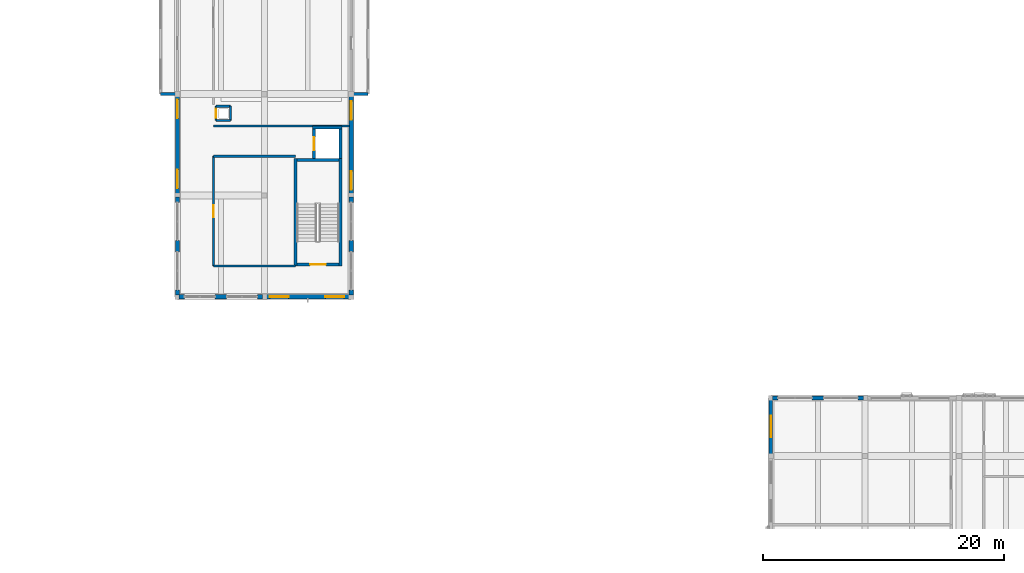
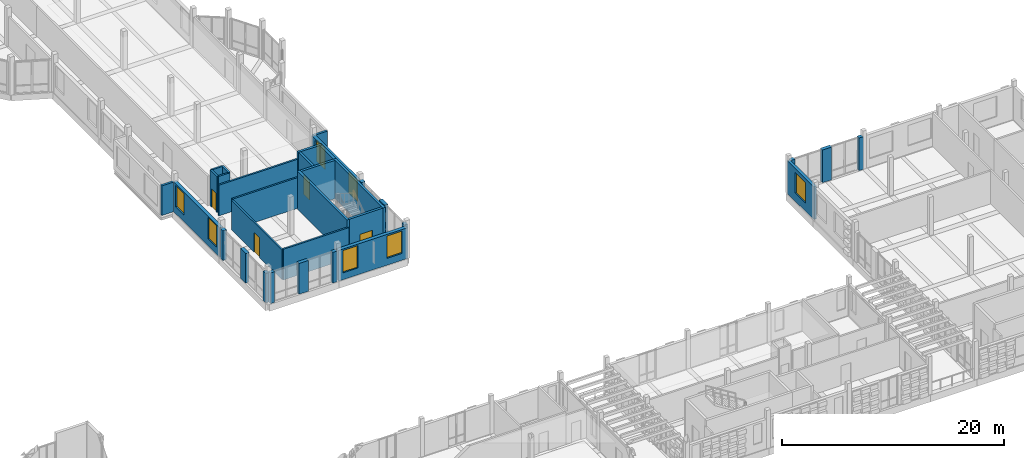
# One storey, part 69 of 99: 33 walls, 7 windows, 4 doors, 11 openings.
"""IFC4 building model written with IfcOpenShell, lengths in metres."""

from ifc_helpers import new_model, si_unit, direction, frame, frame_2d, origin, place, context, subcontext, project, spatial, rectangle, extrude, material, layer, layer_set, type_object, element, fill, save


model = new_model("IFC4")

# Units and contexts
model_context = context("Model", 3, precision=1e-05, world=origin(), true_north=direction((0.0, 1.0)))
body_context = subcontext(model_context, "Body", "Model", "MODEL_VIEW")
ifc_project = project(units=[si_unit("LENGTHUNIT", "METRE"), si_unit("AREAUNIT", "SQUARE_METRE"), si_unit("VOLUMEUNIT", "CUBIC_METRE"), si_unit("PLANEANGLEUNIT", "RADIAN"), si_unit("MASSUNIT", "GRAM", prefix="KILO")], contexts=[model_context])

# Site, building, storey
site_placement = place(None, origin())
site = spatial("IfcSite", under=ifc_project, at=site_placement, CompositionType="ELEMENT")
building_placement = place(site_placement, origin())
building = spatial("IfcBuilding", under=site, at=building_placement, Name="Kahlenmark Community Centre", CompositionType="ELEMENT")
storey_placement = place(building_placement, frame((0.0, 0.0, 5.39990234375)))
storey = spatial("IfcBuildingStorey", under=building, at=storey_placement, Name="L01", CompositionType="ELEMENT", Elevation=5.39990234375)

# Wall, opening, door
ifc_material_1 = material(Name="Concrete C35/45", Category="concrete")
ifc_layer_1 = layer(ifc_material_1, 0.25)
ifc_layer_set_1 = layer_set([ifc_layer_1], Name="Concrete C35/45")
wall_type_1 = type_object("IfcWallType", Name="WT-CORE-250", PredefinedType="SHEAR", material=ifc_layer_set_1)
wall_1_placement = place(storey_placement, frame((82.300048828125, 53.47509765625, 0.0), z_axis=(0.0, 0.0, 1.0), x_axis=(1.0, 0.0, 0.0)))
wall_1 = element("IfcWall", 1, at=wall_1_placement, inside=storey, type_object=wall_type_1, Name="Core K6 shear wall WL-CORE-K6-L01-0211", PredefinedType="SHEAR", context=body_context, shape_type="SweptSolid", body=[
    extrude(rectangle(XDim=3.5, YDim=0.25, at=frame_2d((1.75, 0.0))), origin(), (0.0, 0.0, 1.0), 4.2001953125),
])
opening_1_placement = place(wall_1_placement, frame((1.10009765625, 0.0, -0.010009765625)))
opening_1 = element("IfcOpeningElement", 2, at=opening_1_placement, cuts=wall_1, Name="Opening FD-K6-L01", PredefinedType="OPENING", context=body_context, shape_type="SweptSolid", body=[
    extrude(rectangle(XDim=1.300048828125, YDim=2.159912109375, at=frame_2d((0.64990234375, 1.080078125))), frame((0.0, 0.135009765625, 0.0), z_axis=(0.0, -1.0, 0.0), x_axis=(1.0, 0.0, 0.0)), (0.0, 0.0, 1.0), 0.27001953125),
])
ifc_material_2 = material(Name="Fire-rated steel-framed timber door FD60S", Category="steel")
door_type_1 = type_object("IfcDoorType", Name="DT-FD-K6-L01", OperationType="NOTDEFINED", PredefinedType="DOOR", material=ifc_material_2)
door_1_placement = place(opening_1_placement, frame((1.300048828125, 0.0, 0.010009765625), z_axis=(0.0, 0.0, 1.0), x_axis=(-1.0, 0.0, 0.0)))
door_1 = element("IfcDoor", 3, at=door_1_placement, inside=storey, type_object=door_type_1, Name="Core K6 stair fire door L01", OperationType="SINGLE_SWING_LEFT", OverallHeight=2.14990234375, OverallWidth=1.300048828125, PredefinedType="DOOR", context=body_context, shape_type="SweptSolid", body=[
    extrude(rectangle(XDim=1.300048828125, YDim=2.14990234375, at=frame_2d((0.64990234375, 1.074951171875))), frame((0.0, 0.02490234375, 0.0), z_axis=(0.0, -1.0, 0.0), x_axis=(1.0, 0.0, 0.0)), (0.0, 0.0, 1.0), 0.050048828125),
])
fill(opening_1, door_1)

# Walls
wall_2_placement = place(storey_placement, frame((82.175048828125, 53.35009765625, 0.0), z_axis=(0.0, 0.0, 1.0), x_axis=(0.0, 1.0, 0.0)))
element("IfcWall", 4, at=wall_2_placement, inside=storey, type_object=wall_type_1, Name="Core K6 shear wall WL-CORE-K6-L01-0212", PredefinedType="SHEAR", context=body_context, shape_type="SweptSolid", body=[
    extrude(rectangle(XDim=8.89990234375, YDim=0.25, at=frame_2d((4.449951171875, 0.0))), origin(), (0.0, 0.0, 1.0), 4.2001953125),
])
wall_3_placement = place(storey_placement, frame((85.800048828125, 62.125, 0.0), z_axis=(0.0, 0.0, 1.0), x_axis=(-1.0, 0.0, 0.0)))
element("IfcWall", 5, at=wall_3_placement, inside=storey, type_object=wall_type_1, Name="Core K6 shear wall WL-CORE-K6-L01-0213", PredefinedType="SHEAR", context=body_context, shape_type="SweptSolid", body=[
    extrude(rectangle(XDim=3.5, YDim=0.25, at=frame_2d((1.75, 0.0))), origin(), (0.0, 0.0, 1.0), 4.2001953125),
])
wall_4_placement = place(storey_placement, frame((85.925048828125, 53.35009765625, 0.0), z_axis=(0.0, 0.0, 1.0), x_axis=(0.0, 1.0, 0.0)))
element("IfcWall", 6, at=wall_4_placement, inside=storey, type_object=wall_type_1, Name="Core K6 shear wall WL-CORE-K6-L01-0214", PredefinedType="SHEAR", context=body_context, shape_type="SweptSolid", body=[
    extrude(rectangle(XDim=8.89990234375, YDim=0.25, at=frame_2d((4.449951171875, 0.0))), origin(), (0.0, 0.0, 1.0), 4.2001953125),
])
wall_5_placement = place(storey_placement, frame((83.590087890625, 64.8349609375, 0.0), z_axis=(0.0, 0.0, 1.0), x_axis=(1.0, 0.0, 0.0)))
element("IfcWall", 7, at=wall_5_placement, inside=storey, type_object=wall_type_1, Name="Core K6 shear wall WL-CORE-K6-L01-0215", PredefinedType="SHEAR", context=body_context, shape_type="SweptSolid", body=[
    extrude(rectangle(XDim=2.4599609375, YDim=0.25, at=frame_2d((1.22998046875, 0.0))), origin(), (0.0, 0.0, 1.0), 4.2001953125),
])

# Wall, opening, door
wall_6_placement = place(storey_placement, frame((83.715087890625, 62.25, 0.0), z_axis=(0.0, 0.0, 1.0), x_axis=(0.0, 1.0, 0.0)))
wall_6 = element("IfcWall", 8, at=wall_6_placement, inside=storey, type_object=wall_type_1, Name="Core K6 shear wall WL-CORE-K6-L01-0216", PredefinedType="SHEAR", context=body_context, shape_type="SweptSolid", body=[
    extrude(rectangle(XDim=2.4599609375, YDim=0.25, at=frame_2d((1.22998046875, 0.0))), origin(), (0.0, 0.0, 1.0), 4.2001953125),
])
opening_2_placement = place(wall_6_placement, frame((0.679931640625, 0.0, -0.010009765625)))
opening_2 = element("IfcOpeningElement", 9, at=opening_2_placement, cuts=wall_6, Name="Opening LD-6", PredefinedType="OPENING", context=body_context, shape_type="SweptSolid", body=[
    extrude(rectangle(XDim=1.10009765625, YDim=2.159912109375, at=frame_2d((0.550048828125, 1.080078125))), frame((0.0, 0.135009765625, 0.0), z_axis=(0.0, -1.0, 0.0), x_axis=(1.0, 0.0, 0.0)), (0.0, 0.0, 1.0), 0.27001953125),
])
ifc_material_3 = material(Name="Brushed stainless steel sliding lift landing door", Category="steel")
door_type_2 = type_object("IfcDoorType", Name="DT-LD-K6", OperationType="SLIDING_TO_LEFT", PredefinedType="DOOR", material=ifc_material_3)
door_2_placement = place(opening_2_placement, frame((0.0, 0.0, 0.010009765625)))
door_2 = element("IfcDoor", 10, at=door_2_placement, inside=storey, type_object=door_type_2, Name="Lift LF-06 sliding landing door L01", OperationType="SLIDING_TO_LEFT", OverallHeight=2.14990234375, OverallWidth=1.10009765625, PredefinedType="DOOR", context=body_context, shape_type="SweptSolid", body=[
    extrude(rectangle(XDim=1.10009765625, YDim=2.14990234375, at=frame_2d((0.550048828125, 1.074951171875))), frame((0.0, 0.02490234375, 0.0), z_axis=(0.0, -1.0, 0.0), x_axis=(1.0, 0.0, 0.0)), (0.0, 0.0, 1.0), 0.050048828125),
])
fill(opening_2, door_2)

# Walls
wall_7_placement = place(storey_placement, frame((85.925048828125, 62.25, 0.0), z_axis=(0.0, 0.0, 1.0), x_axis=(0.0, 1.0, 0.0)))
element("IfcWall", 11, at=wall_7_placement, inside=storey, type_object=wall_type_1, Name="Core K6 shear wall WL-CORE-K6-L01-0217", PredefinedType="SHEAR", context=body_context, shape_type="SweptSolid", body=[
    extrude(rectangle(XDim=2.7099609375, YDim=0.25, at=frame_2d((1.35498046875, 0.0))), origin(), (0.0, 0.0, 1.0), 4.2001953125),
])
ifc_material_4 = material(Name="Cross-laminated timber CLT C24", Category="wood")
ifc_layer_2 = layer(ifc_material_4, 0.239990234375)
ifc_layer_set_2 = layer_set([ifc_layer_2], Name="Cross-laminated timber CLT C24")
wall_type_2 = type_object("IfcWallType", Name="WT-EW-240", PredefinedType="SOLIDWALL", material=ifc_layer_set_2)
wall_8_placement = place(storey_placement, frame((86.800048828125, 67.60009765625, 0.0), z_axis=(0.0, 0.0, 1.0), x_axis=(1.0, 0.0, 0.0)))
element("IfcWall", 12, at=wall_8_placement, inside=storey, type_object=wall_type_2, Name="Bay oriel wall WL-ORI-L01-0808", PredefinedType="SOLIDWALL", context=body_context, shape_type="SweptSolid", body=[
    extrude(rectangle(XDim=1.39990234375, YDim=0.239990234375, at=frame_2d((0.699951171875, 0.0))), origin(), (0.0, 0.0, 1.0), 3.25),
])
wall_9_placement = place(storey_placement, frame((72.25, 67.60009765625, 0.0), z_axis=(0.0, 0.0, 1.0), x_axis=(-1.0, 0.0, 0.0)))
element("IfcWall", 13, at=wall_9_placement, inside=storey, type_object=wall_type_2, Name="Bay oriel wall WL-ORI-L01-0844", PredefinedType="SOLIDWALL", context=body_context, shape_type="SweptSolid", body=[
    extrude(rectangle(XDim=1.25, YDim=0.239990234375, at=frame_2d((0.625, 0.0))), origin(), (0.0, 0.0, 1.0), 3.25),
])

# Wall, opening, window
ifc_layer_3 = layer(ifc_material_4, 0.300048828125)
ifc_layer_set_3 = layer_set([ifc_layer_3], Name="Cross-laminated timber CLT C24")
wall_type_3 = type_object("IfcWallType", Name="WT-EW-300", PredefinedType="SOLIDWALL", material=ifc_layer_set_3)
wall_10_placement = place(storey_placement, frame((121.60009765625, 42.39990234375, 0.0), z_axis=(0.0, 0.0, 1.0), x_axis=(0.0, -1.0, 0.0)))
wall_10 = element("IfcWall", 14, at=wall_10_placement, inside=storey, type_object=wall_type_3, Name="Exterior wall WL-EXT-L01-0408", PredefinedType="SOLIDWALL", context=body_context, shape_type="SweptSolid", body=[
    extrude(rectangle(XDim=4.7998046875, YDim=0.300048828125, at=frame_2d((2.39990234375, 0.0))), origin(), (0.0, 0.0, 1.0), 3.590087890625),
])
opening_3_placement = place(wall_10_placement, frame((1.4599609375, 0.0, 0.89990234375)))
opening_3 = element("IfcOpeningElement", 15, at=opening_3_placement, cuts=wall_10, Name="Opening W-180X225", PredefinedType="OPENING", context=body_context, shape_type="SweptSolid", body=[
    extrude(rectangle(XDim=1.800048828125, YDim=2.25, at=frame_2d((0.89990234375, 1.125))), frame((0.0, 0.159912109375, 0.0), z_axis=(0.0, -1.0, 0.0), x_axis=(1.0, 0.0, 0.0)), (0.0, 0.0, 1.0), 0.320068359375),
])
ifc_material_5 = material(Name="Triple low-e insulated glazing in timber-aluminium frame", Category="wood")
window_type_1 = type_object("IfcWindowType", Name="WNT-180X225", PartitioningType="DOUBLE_PANEL_VERTICAL", PredefinedType="WINDOW", material=ifc_material_5)
window_1_placement = place(opening_3_placement, origin())
window_1 = element("IfcWindow", 16, at=window_1_placement, inside=storey, type_object=window_type_1, Name="Window W-180X225 #0257", OverallHeight=2.25, OverallWidth=1.800048828125, PartitioningType="DOUBLE_PANEL_VERTICAL", PredefinedType="WINDOW", context=body_context, shape_type="SweptSolid", body=[
    extrude(rectangle(XDim=1.800048828125, YDim=2.25, at=frame_2d((0.89990234375, 1.125))), frame((0.0, 0.030029296875, 0.0), z_axis=(0.0, -1.0, 0.0), x_axis=(1.0, 0.0, 0.0)), (0.0, 0.0, 1.0), 0.06005859375),
])
fill(opening_3, window_1)

# Walls
ifc_material_6 = material(Name="Danube limestone masonry", Category="masonry")
ifc_layer_4 = layer(ifc_material_6, 0.360107421875)
ifc_layer_set_4 = layer_set([ifc_layer_4], Name="Danube limestone masonry")
wall_type_4 = type_object("IfcWallType", Name="WT-EW-360", PredefinedType="SOLIDWALL", material=ifc_layer_set_4)
wall_11_placement = place(storey_placement, frame((75.52001953125, 50.800048828125, 0.0), z_axis=(0.0, 0.0, 1.0), x_axis=(1.0, 0.0, 0.0)))
element("IfcWall", 17, at=wall_11_placement, inside=storey, type_object=wall_type_4, Name="Postmodern limestone pier 0353", PredefinedType="SOLIDWALL", context=body_context, shape_type="SweptSolid", body=[
    extrude(rectangle(XDim=0.9599609375, YDim=0.360107421875, at=frame_2d((0.47998046875, 0.0))), origin(), (0.0, 0.0, 1.0), 3.3701171875),
])
for number, where, z_axis, x_axis, name in (
    (18, (72.530029296875, 50.800048828125, 0.0), (0.0, 0.0, 1.0), (1.0, 0.0, 0.0), "Column closure pier 0354"),
    (19, (79.02001953125, 50.800048828125, 0.0), (0.0, 0.0, 1.0), (1.0, 0.0, 0.0), "Column closure pier 0355"),
):
    element("IfcWall", number, at=place(storey_placement, frame(where, z_axis=z_axis, x_axis=x_axis)), inside=storey, type_object=wall_type_4, Name=name, PredefinedType="SOLIDWALL", context=body_context, shape_type="SweptSolid", body=[
        extrude(rectangle(XDim=0.449951171875, YDim=0.360107421875, at=frame_2d((0.22509765625, 0.0))), origin(), (0.0, 0.0, 1.0), 3.3701171875),
    ])

# Wall, openings, windows
wall_12_placement = place(storey_placement, frame((79.60009765625, 50.800048828125, 0.0), z_axis=(0.0, 0.0, 1.0), x_axis=(1.0, 0.0, 0.0)))
wall_12 = element("IfcWall", 20, at=wall_12_placement, inside=storey, type_object=wall_type_4, Name="Exterior wall WL-EXT-L01-0356", PredefinedType="SOLIDWALL", context=body_context, shape_type="SweptSolid", body=[
    extrude(rectangle(XDim=7.199951171875, YDim=0.360107421875, at=frame_2d((3.60009765625, 0.0))), origin(), (0.0, 0.0, 1.0), 3.3701171875),
])
opening_4_placement = place(wall_12_placement, frame((0.4599609375, 0.0, 0.75)))
opening_4 = element("IfcOpeningElement", 21, at=opening_4_placement, cuts=wall_12, Name="Opening W-155X245", PredefinedType="OPENING", context=body_context, shape_type="SweptSolid", body=[
    extrude(rectangle(XDim=1.550048828125, YDim=2.449951171875, at=frame_2d((0.77490234375, 1.22509765625))), frame((0.0, 0.18994140625, 0.0), z_axis=(0.0, -1.0, 0.0), x_axis=(1.0, 0.0, 0.0)), (0.0, 0.0, 1.0), 0.380126953125),
])
opening_5_placement = place(wall_12_placement, frame((5.06005859375, 0.0, 0.75)))
opening_5 = element("IfcOpeningElement", 22, at=opening_5_placement, cuts=wall_12, Name="Opening W-155X245", PredefinedType="OPENING", context=body_context, shape_type="SweptSolid", body=[
    extrude(rectangle(XDim=1.550048828125, YDim=2.449951171875, at=frame_2d((0.77490234375, 1.22509765625))), frame((0.0, 0.18994140625, 0.0), z_axis=(0.0, -1.0, 0.0), x_axis=(1.0, 0.0, 0.0)), (0.0, 0.0, 1.0), 0.380126953125),
])
ifc_material_7 = material(Name="Deep-reveal limestone punched triple glazing", Category="masonry")
window_type_2 = type_object("IfcWindowType", Name="WNT-155X245", PartitioningType="DOUBLE_PANEL_HORIZONTAL", PredefinedType="WINDOW", material=ifc_material_7)
window_2_placement = place(opening_4_placement, origin())
window_2 = element("IfcWindow", 23, at=window_2_placement, inside=storey, type_object=window_type_2, Name="Window W-155X245 #0213", OverallHeight=2.449951171875, OverallWidth=1.550048828125, PartitioningType="DOUBLE_PANEL_HORIZONTAL", PredefinedType="WINDOW", context=body_context, shape_type="SweptSolid", body=[
    extrude(rectangle(XDim=1.550048828125, YDim=2.449951171875, at=frame_2d((0.77490234375, 1.22509765625))), frame((0.0, 0.030029296875, 0.0), z_axis=(0.0, -1.0, 0.0), x_axis=(1.0, 0.0, 0.0)), (0.0, 0.0, 1.0), 0.06005859375),
])
fill(opening_4, window_2)
window_3_placement = place(opening_5_placement, origin())
window_3 = element("IfcWindow", 24, at=window_3_placement, inside=storey, type_object=window_type_2, Name="Window W-155X245 #0214", OverallHeight=2.449951171875, OverallWidth=1.550048828125, PartitioningType="DOUBLE_PANEL_HORIZONTAL", PredefinedType="WINDOW", context=body_context, shape_type="SweptSolid", body=[
    extrude(rectangle(XDim=1.550048828125, YDim=2.449951171875, at=frame_2d((0.77490234375, 1.22509765625))), frame((0.0, 0.030029296875, 0.0), z_axis=(0.0, -1.0, 0.0), x_axis=(1.0, 0.0, 0.0)), (0.0, 0.0, 1.0), 0.06005859375),
])
fill(opening_5, window_3)

# Walls
wall_13_placement = place(storey_placement, frame((72.39990234375, 55.47998046875, 0.0), z_axis=(0.0, 0.0, 1.0), x_axis=(0.0, -1.0, 0.0)))
element("IfcWall", 25, at=wall_13_placement, inside=storey, type_object=wall_type_4, Name="Postmodern limestone pier 0357", PredefinedType="SOLIDWALL", context=body_context, shape_type="SweptSolid", body=[
    extrude(rectangle(XDim=0.9599609375, YDim=0.360107421875, at=frame_2d((0.47998046875, 0.0))), origin(), (0.0, 0.0, 1.0), 3.25),
])
for number, where, z_axis, x_axis, name in (
    (26, (72.39990234375, 59.070068359375, 0.0), (0.0, 0.0, 1.0), (0.0, -1.0, 0.0), "Column closure pier 0358"),
    (27, (72.39990234375, 51.3798828125, 0.0), (0.0, 0.0, 1.0), (0.0, -1.0, 0.0), "Column closure pier 0359"),
):
    element("IfcWall", number, at=place(storey_placement, frame(where, z_axis=z_axis, x_axis=x_axis)), inside=storey, type_object=wall_type_4, Name=name, PredefinedType="SOLIDWALL", context=body_context, shape_type="SweptSolid", body=[
        extrude(rectangle(XDim=0.449951171875, YDim=0.360107421875, at=frame_2d((0.22509765625, 0.0))), origin(), (0.0, 0.0, 1.0), 3.25),
    ])

# Wall, openings, windows
wall_14_placement = place(storey_placement, frame((72.39990234375, 67.60009765625, 0.0), z_axis=(0.0, 0.0, 1.0), x_axis=(0.0, -1.0, 0.0)))
wall_14 = element("IfcWall", 28, at=wall_14_placement, inside=storey, type_object=wall_type_4, Name="Exterior wall WL-EXT-L01-0360", PredefinedType="SOLIDWALL", context=body_context, shape_type="SweptSolid", body=[
    extrude(rectangle(XDim=8.400146484375, YDim=0.360107421875, at=frame_2d((4.2001953125, 0.0))), origin(), (0.0, 0.0, 1.0), 3.25),
])
opening_6_placement = place(wall_14_placement, frame((0.4599609375, 0.0, 0.75)))
opening_6 = element("IfcOpeningElement", 29, at=opening_6_placement, cuts=wall_14, Name="Opening W-155X236", PredefinedType="OPENING", context=body_context, shape_type="SweptSolid", body=[
    extrude(rectangle(XDim=1.550048828125, YDim=2.360107421875, at=frame_2d((0.77490234375, 1.18017578125))), frame((0.0, 0.18994140625, 0.0), z_axis=(0.0, -1.0, 0.0), x_axis=(1.0, 0.0, 0.0)), (0.0, 0.0, 1.0), 0.380126953125),
])
opening_7_placement = place(wall_14_placement, frame((6.260009765625, 0.0, 0.75)))
opening_7 = element("IfcOpeningElement", 30, at=opening_7_placement, cuts=wall_14, Name="Opening W-155X236", PredefinedType="OPENING", context=body_context, shape_type="SweptSolid", body=[
    extrude(rectangle(XDim=1.550048828125, YDim=2.360107421875, at=frame_2d((0.77490234375, 1.18017578125))), frame((0.0, 0.18994140625, 0.0), z_axis=(0.0, -1.0, 0.0), x_axis=(1.0, 0.0, 0.0)), (0.0, 0.0, 1.0), 0.380126953125),
])
window_type_3 = type_object("IfcWindowType", Name="WNT-155X236", PartitioningType="DOUBLE_PANEL_HORIZONTAL", PredefinedType="WINDOW", material=ifc_material_7)
window_4_placement = place(opening_6_placement, origin())
window_4 = element("IfcWindow", 31, at=window_4_placement, inside=storey, type_object=window_type_3, Name="Window W-155X236 #0215", OverallHeight=2.360107421875, OverallWidth=1.550048828125, PartitioningType="DOUBLE_PANEL_HORIZONTAL", PredefinedType="WINDOW", context=body_context, shape_type="SweptSolid", body=[
    extrude(rectangle(XDim=1.550048828125, YDim=2.360107421875, at=frame_2d((0.77490234375, 1.18017578125))), frame((0.0, 0.030029296875, 0.0), z_axis=(0.0, -1.0, 0.0), x_axis=(1.0, 0.0, 0.0)), (0.0, 0.0, 1.0), 0.06005859375),
])
fill(opening_6, window_4)
window_5_placement = place(opening_7_placement, origin())
window_5 = element("IfcWindow", 32, at=window_5_placement, inside=storey, type_object=window_type_3, Name="Window W-155X236 #0216", OverallHeight=2.360107421875, OverallWidth=1.550048828125, PartitioningType="DOUBLE_PANEL_HORIZONTAL", PredefinedType="WINDOW", context=body_context, shape_type="SweptSolid", body=[
    extrude(rectangle(XDim=1.550048828125, YDim=2.360107421875, at=frame_2d((0.77490234375, 1.18017578125))), frame((0.0, 0.030029296875, 0.0), z_axis=(0.0, -1.0, 0.0), x_axis=(1.0, 0.0, 0.0)), (0.0, 0.0, 1.0), 0.06005859375),
])
fill(opening_7, window_5)

# Walls
wall_15_placement = place(storey_placement, frame((86.800048828125, 54.52001953125, 0.0), z_axis=(0.0, 0.0, 1.0), x_axis=(0.0, 1.0, 0.0)))
element("IfcWall", 33, at=wall_15_placement, inside=storey, type_object=wall_type_4, Name="Postmodern limestone pier 0363", PredefinedType="SOLIDWALL", context=body_context, shape_type="SweptSolid", body=[
    extrude(rectangle(XDim=0.9599609375, YDim=0.360107421875, at=frame_2d((0.47998046875, 0.0))), origin(), (0.0, 0.0, 1.0), 3.52001953125),
])
for number, where, z_axis, x_axis, name in (
    (34, (86.800048828125, 50.929931640625, 0.0), (0.0, 0.0, 1.0), (0.0, 1.0, 0.0), "Column closure pier 0364"),
    (35, (86.800048828125, 58.6201171875, 0.0), (0.0, 0.0, 1.0), (0.0, 1.0, 0.0), "Column closure pier 0365"),
):
    element("IfcWall", number, at=place(storey_placement, frame(where, z_axis=z_axis, x_axis=x_axis)), inside=storey, type_object=wall_type_4, Name=name, PredefinedType="SOLIDWALL", context=body_context, shape_type="SweptSolid", body=[
        extrude(rectangle(XDim=0.449951171875, YDim=0.360107421875, at=frame_2d((0.22509765625, 0.0))), origin(), (0.0, 0.0, 1.0), 3.52001953125),
    ])

# Wall, openings, windows
wall_16_placement = place(storey_placement, frame((86.800048828125, 59.199951171875, 0.0), z_axis=(0.0, 0.0, 1.0), x_axis=(0.0, 1.0, 0.0)))
wall_16 = element("IfcWall", 36, at=wall_16_placement, inside=storey, type_object=wall_type_4, Name="Exterior wall WL-EXT-L01-0366", PredefinedType="SOLIDWALL", context=body_context, shape_type="SweptSolid", body=[
    extrude(rectangle(XDim=8.400146484375, YDim=0.360107421875, at=frame_2d((4.2001953125, 0.0))), origin(), (0.0, 0.0, 1.0), 3.25),
])
opening_8_placement = place(wall_16_placement, frame((0.4599609375, 0.0, 0.75)))
opening_8 = element("IfcOpeningElement", 37, at=opening_8_placement, cuts=wall_16, Name="Opening W-155X236", PredefinedType="OPENING", context=body_context, shape_type="SweptSolid", body=[
    extrude(rectangle(XDim=1.550048828125, YDim=2.360107421875, at=frame_2d((0.77490234375, 1.18017578125))), frame((0.0, 0.18994140625, 0.0), z_axis=(0.0, -1.0, 0.0), x_axis=(1.0, 0.0, 0.0)), (0.0, 0.0, 1.0), 0.380126953125),
])
opening_9_placement = place(wall_16_placement, frame((6.260009765625, 0.0, 0.75)))
opening_9 = element("IfcOpeningElement", 38, at=opening_9_placement, cuts=wall_16, Name="Opening W-155X236", PredefinedType="OPENING", context=body_context, shape_type="SweptSolid", body=[
    extrude(rectangle(XDim=1.550048828125, YDim=2.360107421875, at=frame_2d((0.77490234375, 1.18017578125))), frame((0.0, 0.18994140625, 0.0), z_axis=(0.0, -1.0, 0.0), x_axis=(1.0, 0.0, 0.0)), (0.0, 0.0, 1.0), 0.380126953125),
])
window_6_placement = place(opening_8_placement, origin())
window_6 = element("IfcWindow", 39, at=window_6_placement, inside=storey, type_object=window_type_3, Name="Window W-155X236 #0221", OverallHeight=2.360107421875, OverallWidth=1.550048828125, PartitioningType="DOUBLE_PANEL_HORIZONTAL", PredefinedType="WINDOW", context=body_context, shape_type="SweptSolid", body=[
    extrude(rectangle(XDim=1.550048828125, YDim=2.360107421875, at=frame_2d((0.77490234375, 1.18017578125))), frame((0.0, 0.030029296875, 0.0), z_axis=(0.0, -1.0, 0.0), x_axis=(1.0, 0.0, 0.0)), (0.0, 0.0, 1.0), 0.06005859375),
])
fill(opening_8, window_6)
window_7_placement = place(opening_9_placement, origin())
window_7 = element("IfcWindow", 40, at=window_7_placement, inside=storey, type_object=window_type_3, Name="Window W-155X236 #0222", OverallHeight=2.360107421875, OverallWidth=1.550048828125, PartitioningType="DOUBLE_PANEL_HORIZONTAL", PredefinedType="WINDOW", context=body_context, shape_type="SweptSolid", body=[
    extrude(rectangle(XDim=1.550048828125, YDim=2.360107421875, at=frame_2d((0.77490234375, 1.18017578125))), frame((0.0, 0.030029296875, 0.0), z_axis=(0.0, -1.0, 0.0), x_axis=(1.0, 0.0, 0.0)), (0.0, 0.0, 1.0), 0.06005859375),
])
fill(opening_9, window_7)

# Walls
wall_17_placement = place(storey_placement, frame((125.97998046875, 42.39990234375, 0.0), z_axis=(0.0, 0.0, 1.0), x_axis=(-1.0, 0.0, 0.0)))
element("IfcWall", 41, at=wall_17_placement, inside=storey, type_object=wall_type_4, Name="Postmodern limestone pier 0399", PredefinedType="SOLIDWALL", context=body_context, shape_type="SweptSolid", body=[
    extrude(rectangle(XDim=0.9599609375, YDim=0.360107421875, at=frame_2d((0.47998046875, 0.0))), origin(), (0.0, 0.0, 1.0), 3.590087890625),
])
for number, where, z_axis, x_axis, name in (
    (42, (129.27001953125, 42.39990234375, 0.0), (0.0, 0.0, 1.0), (-1.0, 0.0, 0.0), "Column closure pier 0400"),
    (43, (122.179931640625, 42.39990234375, 0.0), (0.0, 0.0, 1.0), (-1.0, 0.0, 0.0), "Column closure pier 0401"),
):
    element("IfcWall", number, at=place(storey_placement, frame(where, z_axis=z_axis, x_axis=x_axis)), inside=storey, type_object=wall_type_4, Name=name, PredefinedType="SOLIDWALL", context=body_context, shape_type="SweptSolid", body=[
        extrude(rectangle(XDim=0.449951171875, YDim=0.360107421875, at=frame_2d((0.22509765625, 0.0))), origin(), (0.0, 0.0, 1.0), 3.590087890625),
    ])
ifc_material_8 = material(Name="Gypsum plasterboard partition", Category="gypsum")
ifc_layer_5 = layer(ifc_material_8, 0.179931640625)
ifc_layer_set_5 = layer_set([ifc_layer_5], Name="Gypsum plasterboard partition")
wall_type_5 = type_object("IfcWallType", Name="WT-PW-180", PredefinedType="PARTITIONING", material=ifc_layer_set_5)
wall_18_placement = place(storey_placement, frame((75.39990234375, 53.35009765625, 0.0), z_axis=(0.0, 0.0, 1.0), x_axis=(1.0, 0.0, 0.0)))
element("IfcWall", 44, at=wall_18_placement, inside=storey, type_object=wall_type_5, Name="Interior partition WL-INT-L01-0155", PredefinedType="PARTITIONING", context=body_context, shape_type="SweptSolid", body=[
    extrude(rectangle(XDim=6.800048828125, YDim=0.179931640625, at=frame_2d((3.39990234375, 0.0))), origin(), (0.0, 0.0, 1.0), 3.3701171875),
])

# Wall, opening, door
wall_19_placement = place(storey_placement, frame((75.39990234375, 53.35009765625, 0.0), z_axis=(0.0, 0.0, 1.0), x_axis=(0.0, 1.0, 0.0)))
wall_19 = element("IfcWall", 45, at=wall_19_placement, inside=storey, type_object=wall_type_5, Name="Interior partition WL-INT-L01-0156", PredefinedType="PARTITIONING", context=body_context, shape_type="SweptSolid", body=[
    extrude(rectangle(XDim=9.099853515625, YDim=0.179931640625, at=frame_2d((4.5498046875, 0.0))), origin(), (0.0, 0.0, 1.0), 3.25),
])
opening_10_placement = place(wall_19_placement, frame((4.050048828125, 0.0, -0.010009765625)))
opening_10 = element("IfcOpeningElement", 46, at=opening_10_placement, cuts=wall_19, Name="Opening D-L01-091", PredefinedType="OPENING", context=body_context, shape_type="SweptSolid", body=[
    extrude(rectangle(XDim=1.0, YDim=2.159912109375, at=frame_2d((0.5, 1.080078125))), frame((0.0, 0.099853515625, 0.0), z_axis=(0.0, -1.0, 0.0), x_axis=(1.0, 0.0, 0.0)), (0.0, 0.0, 1.0), 0.199951171875),
])
ifc_material_9 = material(Name="Oak timber veneer door leaf", Category="wood")
door_type_3 = type_object("IfcDoorType", Name="DT-INT-100X215", OperationType="NOTDEFINED", PredefinedType="DOOR", material=ifc_material_9)
door_3_placement = place(opening_10_placement, frame((0.0, 0.0, 0.010009765625)))
door_3 = element("IfcDoor", 47, at=door_3_placement, inside=storey, type_object=door_type_3, Name="Interior door D-L01-091", OperationType="SINGLE_SWING_RIGHT", OverallHeight=2.14990234375, OverallWidth=1.0, PredefinedType="DOOR", context=body_context, shape_type="SweptSolid", body=[
    extrude(rectangle(XDim=1.0, YDim=2.14990234375, at=frame_2d((0.5, 1.074951171875))), frame((0.0, 0.02490234375, 0.0), z_axis=(0.0, -1.0, 0.0), x_axis=(1.0, 0.0, 0.0)), (0.0, 0.0, 1.0), 0.050048828125),
])
fill(opening_10, door_3)

# Walls
wall_20_placement = place(storey_placement, frame((75.39990234375, 62.449951171875, 0.0), z_axis=(0.0, 0.0, 1.0), x_axis=(1.0, 0.0, 0.0)))
element("IfcWall", 48, at=wall_20_placement, inside=storey, type_object=wall_type_5, Name="Interior partition WL-INT-L01-0157", PredefinedType="PARTITIONING", context=body_context, shape_type="SweptSolid", body=[
    extrude(rectangle(XDim=6.800048828125, YDim=0.179931640625, at=frame_2d((3.39990234375, 0.0))), origin(), (0.0, 0.0, 1.0), 3.3701171875),
])
wall_21_placement = place(storey_placement, frame((75.39990234375, 64.949951171875, 0.0), z_axis=(0.0, 0.0, 1.0), x_axis=(1.0, 0.0, 0.0)))
element("IfcWall", 49, at=wall_21_placement, inside=storey, type_object=wall_type_5, Name="Interior partition WL-INT-L01-0158", PredefinedType="PARTITIONING", context=body_context, shape_type="SweptSolid", body=[
    extrude(rectangle(XDim=11.260009765625, YDim=0.179931640625, at=frame_2d((5.6298828125, 0.0))), origin(), (0.0, 0.0, 1.0), 3.3701171875),
])
ifc_material_10 = material(Name="Masonry blockwork", Category="masonry")
ifc_layer_6 = layer(ifc_material_10, 0.179931640625)
ifc_layer_set_6 = layer_set([ifc_layer_6], Name="Masonry blockwork")
wall_type_6 = type_object("IfcWallType", Name="WT-RISER-180", PredefinedType="SOLIDWALL", material=ifc_layer_set_6)
wall_22_placement = place(storey_placement, frame((75.60009765625, 65.39990234375, 0.0), z_axis=(0.0, 0.0, 1.0), x_axis=(1.0, 0.0, 0.0)))
element("IfcWall", 50, at=wall_22_placement, inside=storey, type_object=wall_type_6, Name="Riser RS-08 shaft wall L01.1", PredefinedType="SOLIDWALL", context=body_context, shape_type="SweptSolid", body=[
    extrude(rectangle(XDim=1.199951171875, YDim=0.179931640625, at=frame_2d((0.60009765625, 0.0))), origin(), (0.0, 0.0, 1.0), 3.97021484375),
])
wall_23_placement = place(storey_placement, frame((76.800048828125, 65.39990234375, 0.0), z_axis=(0.0, 0.0, 1.0), x_axis=(0.0, 1.0, 0.0)))
element("IfcWall", 51, at=wall_23_placement, inside=storey, type_object=wall_type_6, Name="Riser RS-08 shaft wall L01.2", PredefinedType="SOLIDWALL", context=body_context, shape_type="SweptSolid", body=[
    extrude(rectangle(XDim=1.2001953125, YDim=0.179931640625, at=frame_2d((0.60009765625, 0.0))), origin(), (0.0, 0.0, 1.0), 3.97021484375),
])
wall_24_placement = place(storey_placement, frame((76.800048828125, 66.60009765625, 0.0), z_axis=(0.0, 0.0, 1.0), x_axis=(-1.0, 0.0, 0.0)))
element("IfcWall", 52, at=wall_24_placement, inside=storey, type_object=wall_type_6, Name="Riser RS-08 shaft wall L01.3", PredefinedType="SOLIDWALL", context=body_context, shape_type="SweptSolid", body=[
    extrude(rectangle(XDim=1.199951171875, YDim=0.179931640625, at=frame_2d((0.60009765625, 0.0))), origin(), (0.0, 0.0, 1.0), 3.97021484375),
])

# Wall, opening, door
wall_25_placement = place(storey_placement, frame((75.60009765625, 66.60009765625, 0.0), z_axis=(0.0, 0.0, 1.0), x_axis=(0.0, -1.0, 0.0)))
wall_25 = element("IfcWall", 53, at=wall_25_placement, inside=storey, type_object=wall_type_6, Name="Riser RS-08 shaft wall L01.4", PredefinedType="SOLIDWALL", context=body_context, shape_type="SweptSolid", body=[
    extrude(rectangle(XDim=1.2001953125, YDim=0.179931640625, at=frame_2d((0.60009765625, 0.0))), origin(), (0.0, 0.0, 1.0), 3.97021484375),
])
opening_11_placement = place(wall_25_placement, frame((0.199951171875, 0.0, -0.010009765625)))
opening_11 = element("IfcOpeningElement", 54, at=opening_11_placement, cuts=wall_25, Name="Opening FD-RS80", PredefinedType="OPENING", context=body_context, shape_type="SweptSolid", body=[
    extrude(rectangle(XDim=0.800048828125, YDim=2.06005859375, at=frame_2d((0.39990234375, 1.030029296875))), frame((0.0, 0.099853515625, 0.0), z_axis=(0.0, -1.0, 0.0), x_axis=(1.0, 0.0, 0.0)), (0.0, 0.0, 1.0), 0.199951171875),
])
ifc_material_11 = material(Name="Fire-rated steel service riser door FD60S", Category="steel")
door_type_4 = type_object("IfcDoorType", Name="DT-RISER-80X205", OperationType="NOTDEFINED", PredefinedType="DOOR", material=ifc_material_11)
door_4_placement = place(opening_11_placement, frame((0.0, 0.0, 0.010009765625)))
door_4 = element("IfcDoor", 55, at=door_4_placement, inside=storey, type_object=door_type_4, Name="Riser RS-08 access door L01", OperationType="SINGLE_SWING_LEFT", OverallHeight=2.050048828125, OverallWidth=0.800048828125, PredefinedType="DOOR", context=body_context, shape_type="SweptSolid", body=[
    extrude(rectangle(XDim=0.800048828125, YDim=2.050048828125, at=frame_2d((0.39990234375, 1.02490234375))), frame((0.0, 0.02490234375, 0.0), z_axis=(0.0, -1.0, 0.0), x_axis=(1.0, 0.0, 0.0)), (0.0, 0.0, 1.0), 0.050048828125),
])
fill(opening_11, door_4)

save(model, "model.ifc")
